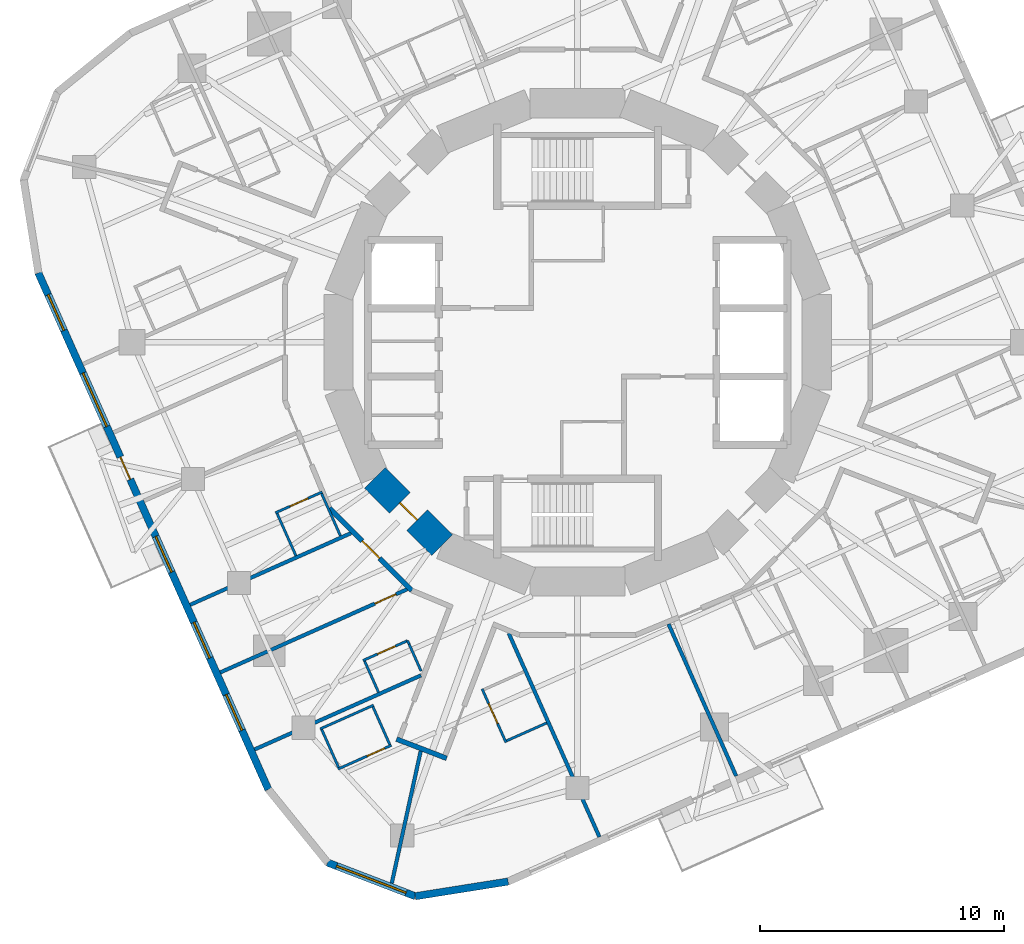
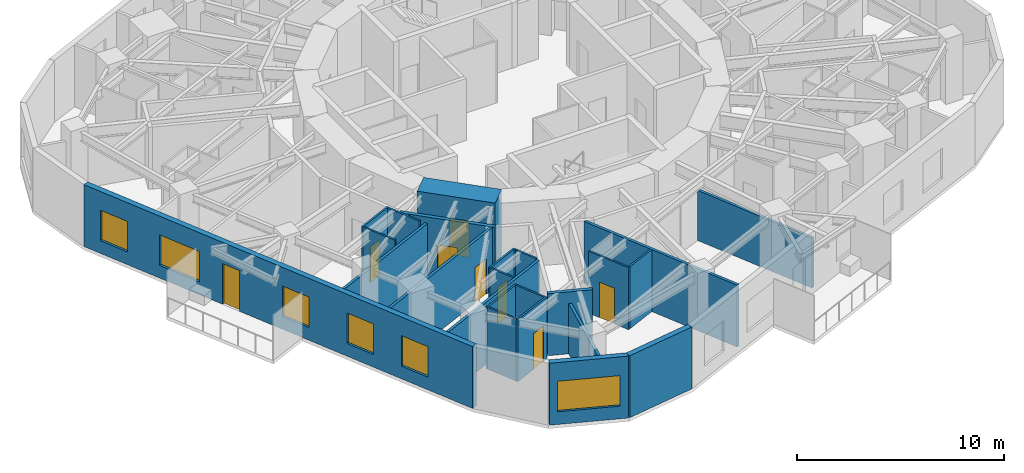
# One storey, part 4 of 12: 25 walls, 8 doors, 6 windows, 14 openings.
"""IFC4 building model written with IfcOpenShell, lengths in metres."""

import ifcopenshell
import ifcopenshell.guid

model = None  # the IFC model being written
_history = None  # IfcOwnerHistory: only IFC2X3 demands one
_inside = {}  # id of a spatial element -> (the spatial element, [elements in it])
_under = {}  # id of a project, library or spatial element -> (it, [spatial elements below it])
_declared = {}  # id of a project -> (the project, [libraries it declares])
_typed = {}  # id of a type object -> (the type object, [elements of that type])
_made_of = {}  # id of a material, layer set ... -> (it, [elements and type objects made of it])


def new_model(schema):
    """Start an empty IFC model of exactly this schema.

    Asked for "IFC4X3", IfcOpenShell would pick the latest addendum, in which some entities
    have other attributes; the version numbers below select the first issue.
    IFC2X3 requires an IfcOwnerHistory on every rooted entity: one is made here for all.
    """
    global model, _history
    if schema == "IFC4X3":
        model = ifcopenshell.file(schema_version=(4, 3, 0, 0))
    else:
        model = ifcopenshell.file(schema=schema)
    _inside.clear()
    _under.clear()
    _declared.clear()
    _typed.clear()
    _made_of.clear()
    _history = None
    if model.schema == "IFC2X3":
        org = make("IfcOrganization", Name="unknown")
        user = make(
            "IfcPersonAndOrganization",
            ThePerson=make("IfcPerson", FamilyName="unknown"),
            TheOrganization=org,
        )
        app = make(
            "IfcApplication",
            ApplicationDeveloper=org,
            Version="unknown",
            ApplicationFullName="unknown",
            ApplicationIdentifier="unknown",
        )
        _history = make(
            "IfcOwnerHistory",
            OwningUser=user,
            OwningApplication=app,
            ChangeAction="ADDED",
            CreationDate=0,
        )
    return model


def make(cls, **values):
    """One entity of the class cls with the attributes given. An attribute that is None is left unset."""
    return model.create_entity(
        cls, **{name: value for name, value in values.items() if value is not None}
    )


def rooted(cls, **values):
    """An entity with a GlobalId (a new one), such as an element, a storey or a relation."""
    return make(cls, GlobalId=ifcopenshell.guid.new(), OwnerHistory=_history, **values)


def si_unit(unit_type, name, prefix=None):
    """IfcSIUnit, for example si_unit("LENGTHUNIT", "METRE", prefix="MILLI")."""
    return make("IfcSIUnit", UnitType=unit_type, Prefix=prefix, Name=name)


def assignment(units):
    """IfcUnitAssignment: the units of a project."""
    return None if units is None else make("IfcUnitAssignment", Units=units)


def point(xyz):
    """IfcCartesianPoint."""
    return None if xyz is None else make("IfcCartesianPoint", Coordinates=xyz)


def direction(xyz):
    """IfcDirection."""
    return None if xyz is None else make("IfcDirection", DirectionRatios=xyz)


def frame(location, z_axis=None, x_axis=None):
    """IfcAxis2Placement3D, a coordinate frame: its origin and axes. An axis left out is left unset."""
    return make(
        "IfcAxis2Placement3D",
        Location=point(location),
        Axis=direction(z_axis),
        RefDirection=direction(x_axis),
    )


def frame_2d(location, x_axis=None):
    """IfcAxis2Placement2D, a coordinate frame in the plane: its origin and x axis."""
    return make(
        "IfcAxis2Placement2D", Location=point(location), RefDirection=direction(x_axis)
    )


def origin():
    """The frame at (0, 0, 0) with its axes left unset."""
    return frame((0.0, 0.0, 0.0))


def place(relative_to, where):
    """IfcLocalPlacement: puts the frame where relative to a parent placement (None: the world)."""
    return make(
        "IfcLocalPlacement", PlacementRelTo=relative_to, RelativePlacement=where
    )


def context(
    kind, dimensions, precision=None, world=None, true_north=None, identifier=None
):
    """IfcGeometricRepresentationContext, for example the 3D "Model" context."""
    return make(
        "IfcGeometricRepresentationContext",
        ContextIdentifier=identifier,
        ContextType=kind,
        CoordinateSpaceDimension=dimensions,
        Precision=precision,
        WorldCoordinateSystem=world,
        TrueNorth=true_north,
    )


def subcontext(parent, identifier, kind, view, scale=None):
    """IfcGeometricRepresentationSubContext, for example "Body" below "Model"."""
    return make(
        "IfcGeometricRepresentationSubContext",
        ContextIdentifier=identifier,
        ContextType=kind,
        ParentContext=parent,
        TargetScale=scale,
        TargetView=view,
    )


def project(units=None, contexts=None):
    """IfcProject with its units and contexts."""
    return rooted(
        "IfcProject",
        Name="project",
        RepresentationContexts=contexts,
        UnitsInContext=assignment(units),
    )


def spatial(cls, under=None, at=None, **own):
    """A site, building, storey or space (cls), placed at a placement, below another one or the project."""
    s = rooted(cls, ObjectPlacement=at, **own)
    if under is not None:
        _under.setdefault(under.id(), (under, []))[1].append(s)
    return s


def profile(cls, at=None, kind="AREA", **sizes):
    """A parametric profile (cls). Its sizes go by their IFC names, for example OverallWidth=200.0."""
    return make(cls, ProfileType=kind, Position=at, **sizes)


def rectangle(**sizes):
    """IfcRectangleProfileDef."""
    return profile("IfcRectangleProfileDef", **sizes)


def extrude(swept, where, along, depth):
    """IfcExtrudedAreaSolid: the profile swept, set in the frame where, extruded along a direction by depth."""
    return make(
        "IfcExtrudedAreaSolid",
        SweptArea=swept,
        Position=where,
        ExtrudedDirection=direction(along),
        Depth=depth,
    )


def shape(context_of_items, identifier, shape_type, items):
    """IfcShapeRepresentation: the items that make up one representation, for example the "Body"."""
    return make(
        "IfcShapeRepresentation",
        ContextOfItems=context_of_items,
        RepresentationIdentifier=identifier,
        RepresentationType=shape_type,
        Items=items,
    )


def material(Name=None, Category=None):
    """IfcMaterial."""
    return make("IfcMaterial", Name=Name, Category=Category)


def layer(
    of_material, thickness, ventilated=None, Name=None, Category=None, Priority=None
):
    """IfcMaterialLayer: one layer of a wall or slab, of a material (None: an air gap)."""
    return make(
        "IfcMaterialLayer",
        Material=of_material,
        LayerThickness=thickness,
        IsVentilated=ventilated,
        Name=Name,
        Category=Category,
        Priority=Priority,
    )


def layer_set(layers, Name=None):
    """IfcMaterialLayerSet."""
    return make("IfcMaterialLayerSet", MaterialLayers=layers, LayerSetName=Name)


def made_of(thing, what):
    """Note that an element or type object is made of a material, layer set ...; save() writes the relation."""
    if what is not None:
        _made_of.setdefault(what.id(), (what, []))[1].append(thing)
    return thing


def type_object(cls, material=None, **own):
    """A type object (cls), such as IfcWallType, which elements share."""
    return made_of(rooted(cls, **own), material)


def element(
    cls,
    number,
    at=None,
    inside=None,
    cuts=None,
    type_object=None,
    material=None,
    context=None,
    identifier="Body",
    shape_type=None,
    held_by="IfcProductDefinitionShape",
    body=None,
    shapes=None,
    **own,
):
    """One element of the class cls, such as IfcWall. Its Tag is "e" and its number.

    at: its placement. inside: the storey or other place that contains it. cuts: it is an
    opening in that element (IfcRelVoidsElement). A single representation is given by context,
    identifier, shape_type and body (its items); several are given by shapes. held_by: the class
    of the entity that holds the representations. save() writes the other relations.
    """
    e = rooted(cls, Tag="e%d" % number, ObjectPlacement=at, **own)
    if body is not None:
        shapes = [shape(context, identifier, shape_type, body)]
    if shapes is not None:
        e.Representation = make(held_by, Representations=shapes)
    if inside is not None:
        _inside.setdefault(inside.id(), (inside, []))[1].append(e)
    if cuts is not None:
        rooted(
            "IfcRelVoidsElement", RelatingBuildingElement=cuts, RelatedOpeningElement=e
        )
    if type_object is not None:
        _typed.setdefault(type_object.id(), (type_object, []))[1].append(e)
    return made_of(e, material)


def fill(opening, filler):
    """IfcRelFillsElement: the door or window that sits in an opening."""
    return rooted(
        "IfcRelFillsElement",
        RelatingOpeningElement=opening,
        RelatedBuildingElement=filler,
    )


def aggregate(whole, parts):
    """IfcRelAggregates: a whole, such as a stair, and the parts it consists of."""
    return rooted("IfcRelAggregates", RelatingObject=whole, RelatedObjects=parts)


def save(model, path):
    """Write the relations noted so far, then the file.

    IfcRelAggregates (storeys below a building ...), IfcRelContainedInSpatialStructure (elements
    in a storey), IfcRelDefinesByType, IfcRelAssociatesMaterial and IfcRelDeclares: one each for
    every whole, place, type object, material and project.
    """
    for whole, parts in _under.values():
        aggregate(whole, parts)
    for where, things in _inside.values():
        rooted(
            "IfcRelContainedInSpatialStructure",
            RelatedElements=things,
            RelatingStructure=where,
        )
    for kind, things in _typed.values():
        rooted("IfcRelDefinesByType", RelatedObjects=things, RelatingType=kind)
    for what, things in _made_of.values():
        rooted("IfcRelAssociatesMaterial", RelatedObjects=things, RelatingMaterial=what)
    for by, libraries in _declared.values():
        rooted("IfcRelDeclares", RelatingContext=by, RelatedDefinitions=libraries)
    model.write(path)


model = new_model("IFC4")

# Units and contexts
model_context = context("Model", 3, precision=1e-05, world=origin(), true_north=direction((0.0, 1.0)))
body_context = subcontext(model_context, "Body", "Model", "MODEL_VIEW")
ifc_project = project(units=[si_unit("LENGTHUNIT", "METRE"), si_unit("AREAUNIT", "SQUARE_METRE"), si_unit("VOLUMEUNIT", "CUBIC_METRE"), si_unit("PLANEANGLEUNIT", "RADIAN"), si_unit("MASSUNIT", "GRAM", prefix="KILO")], contexts=[model_context])

# Site, building, storey
site_placement = place(None, origin())
site = spatial("IfcSite", under=ifc_project, at=site_placement, CompositionType="ELEMENT")
building_placement = place(site_placement, origin())
building = spatial("IfcBuilding", under=site, at=building_placement, Name="Nakasero Lantern House", CompositionType="ELEMENT")
storey_placement = place(building_placement, frame((0.0, 0.0, 205.550048828125)))
storey = spatial("IfcBuildingStorey", under=building, at=storey_placement, Name="L50", CompositionType="ELEMENT", Elevation=205.550048828125)

# Wall, opening, door
ifc_material_1 = material(Name="Concrete C50/60", Category="concrete")
ifc_layer_1 = layer(ifc_material_1, 1.199951171875)
ifc_layer_set_1 = layer_set([ifc_layer_1], Name="Core wall 1200")
wall_type_1 = type_object("IfcWallType", Name="Core wall 1200", PredefinedType="SHEAR", material=ifc_layer_set_1)
wall_1_placement = place(storey_placement, frame((-8.314697265625, -5.5556640625, 0.0), z_axis=(0.0, 0.0, 1.0), x_axis=(0.707106781187, -0.707106781187, 0.0)))
wall_1 = element("IfcWall", 1, at=wall_1_placement, inside=storey, type_object=wall_type_1, Name="Core wall L50 facet 10", PredefinedType="SHEAR", context=body_context, shape_type="SweptSolid", body=[
    extrude(rectangle(XDim=3.90185546875, YDim=1.199951171875, at=frame_2d((1.950927734375, 0.0))), origin(), (0.0, 0.0, 1.0), 3.849853515625),
])
opening_1_placement = place(wall_1_placement, frame((1.450927734375, 0.0, 0.0)))
opening_1 = element("IfcOpeningElement", 2, at=opening_1_placement, cuts=wall_1, Name="Opening D05", PredefinedType="OPENING", context=body_context, shape_type="SweptSolid", body=[
    extrude(rectangle(XDim=1.0, YDim=2.10009765625, at=frame_2d((0.5, 1.050048828125))), frame((0.0, 0.619873046875, 0.0), z_axis=(0.0, -1.0, 0.0), x_axis=(1.0, 0.0, 0.0)), (0.0, 0.0, 1.0), 1.239990234375),
])
ifc_material_2 = material(Name="Timber C24", Category="wood")
door_type_1 = type_object("IfcDoorType", Name="Core door FD60S 1000", OperationType="SINGLE_SWING_LEFT", PredefinedType="DOOR", material=ifc_material_2)
door_1_placement = place(opening_1_placement, origin())
door_1 = element("IfcDoor", 3, at=door_1_placement, inside=storey, type_object=door_type_1, Name="Door L50 D-CORE10", OperationType="SINGLE_SWING_LEFT", OverallHeight=2.10009765625, OverallWidth=1.0, PredefinedType="DOOR", context=body_context, shape_type="SweptSolid", body=[
    extrude(rectangle(XDim=1.0, YDim=2.10009765625, at=frame_2d((0.5, 1.050048828125))), frame((0.0, 0.02490234375, 0.0), z_axis=(0.0, -1.0, 0.0), x_axis=(1.0, 0.0, 0.0)), (0.0, 0.0, 1.0), 0.050048828125),
])
fill(opening_1, door_1)

ifc_material_3 = material(Name="Blockwork", Category="masonry")
ifc_layer_2 = layer(ifc_material_3, 0.199951171875)
ifc_layer_set_2 = layer_set([ifc_layer_2], Name="Corridor wall 200")
wall_type_2 = type_object("IfcWallType", Name="Corridor wall 200", PredefinedType="PARTITIONING", material=ifc_layer_set_2)
wall_2_placement = place(storey_placement, frame((-6.802001953125, -10.1796875, 0.0), z_axis=(0.0, 0.0, 1.0), x_axis=(-0.707106781187, 0.707106781187, 0.0)))
wall_2 = element("IfcWall", 4, at=wall_2_placement, inside=storey, type_object=wall_type_2, Name="Corridor wall L50 RC06a", PredefinedType="PARTITIONING", context=body_context, shape_type="SweptSolid", body=[
    extrude(rectangle(XDim=4.77685546875, YDim=0.199951171875, at=frame_2d((2.388427734375, 0.0))), origin(), (0.0, 0.0, 1.0), 3.64990234375),
])
opening_2_placement = place(wall_2_placement, frame((1.8701171875, 0.0, 0.0)))
opening_2 = element("IfcOpeningElement", 5, at=opening_2_placement, cuts=wall_2, Name="Opening D14", PredefinedType="OPENING", context=body_context, shape_type="SweptSolid", body=[
    extrude(rectangle(XDim=1.0, YDim=2.10009765625, at=frame_2d((0.5, 1.050048828125))), frame((0.0, 0.119873046875, 0.0), z_axis=(0.0, -1.0, 0.0), x_axis=(1.0, 0.0, 0.0)), (0.0, 0.0, 1.0), 0.239990234375),
])
ifc_material_4 = material(Name="Timber C24", Category="wood")
door_type_2 = type_object("IfcDoorType", Name="Cluster entrance door FD30S 1000", OperationType="SINGLE_SWING_LEFT", PredefinedType="DOOR", material=ifc_material_4)
door_2_placement = place(opening_2_placement, origin())
door_2 = element("IfcDoor", 6, at=door_2_placement, inside=storey, type_object=door_type_2, Name="Door L50 D2-04", OperationType="SINGLE_SWING_LEFT", OverallHeight=2.10009765625, OverallWidth=1.0, PredefinedType="DOOR", context=body_context, shape_type="SweptSolid", body=[
    extrude(rectangle(XDim=1.0, YDim=2.10009765625, at=frame_2d((0.5, 1.050048828125))), frame((0.0, 0.02490234375, 0.0), z_axis=(0.0, -1.0, 0.0), x_axis=(1.0, 0.0, 0.0)), (0.0, 0.0, 1.0), 0.050048828125),
])
fill(opening_2, door_2)

# Wall
wall_3_placement = place(storey_placement, frame((-7.426513671875, -16.277587890625, 0.0), z_axis=(0.0, 0.0, 1.0), x_axis=(0.933582812604, -0.358361733464, 0.0)))
element("IfcWall", 7, at=wall_3_placement, inside=storey, type_object=wall_type_2, Name="Corridor wall L50 SP2e", PredefinedType="PARTITIONING", context=body_context, shape_type="SweptSolid", body=[
    extrude(rectangle(XDim=2.19970703125, YDim=0.199951171875, at=frame_2d((1.099853515625, 0.0))), origin(), (0.0, 0.0, 1.0), 3.64990234375),
])

# Wall, opening, door
ifc_material_5 = material(Name="Blockwork", Category="masonry")
ifc_layer_3 = layer(ifc_material_5, 0.10009765625)
ifc_layer_set_3 = layer_set([ifc_layer_3], Name="En-suite wall 100")
wall_type_3 = type_object("IfcWallType", Name="En-suite wall 100", PredefinedType="PARTITIONING", material=ifc_layer_set_3)
wall_4_placement = place(storey_placement, frame((-10.475341796875, -6.138916015625, 0.0), z_axis=(0.0, 0.0, 1.0), x_axis=(-0.913528480824, -0.406774771494, 0.0)))
wall_4 = element("IfcWall", 8, at=wall_4_placement, inside=storey, type_object=wall_type_3, Name="En-suite wall L50 ES2-03", PredefinedType="PARTITIONING", context=body_context, shape_type="SweptSolid", body=[
    extrude(rectangle(XDim=2.10009765625, YDim=0.10009765625, at=frame_2d((1.050048828125, 0.0))), origin(), (0.0, 0.0, 1.0), 3.64990234375),
])
opening_3_placement = place(wall_4_placement, frame((0.64990234375, 0.0, 0.0)))
opening_3 = element("IfcOpeningElement", 9, at=opening_3_placement, cuts=wall_4, Name="Opening D02", PredefinedType="OPENING", context=body_context, shape_type="SweptSolid", body=[
    extrude(rectangle(XDim=0.800048828125, YDim=2.10009765625, at=frame_2d((0.39990234375, 1.050048828125))), frame((0.0, 0.070068359375, 0.0), z_axis=(0.0, -1.0, 0.0), x_axis=(1.0, 0.0, 0.0)), (0.0, 0.0, 1.0), 0.14013671875),
])
ifc_material_6 = material(Name="Timber C24", Category="wood")
door_type_3 = type_object("IfcDoorType", Name="En-suite door 800", OperationType="SINGLE_SWING_RIGHT", PredefinedType="DOOR", material=ifc_material_6)
door_3_placement = place(opening_3_placement, origin())
door_3 = element("IfcDoor", 10, at=door_3_placement, inside=storey, type_object=door_type_3, Name="Door L50 DE2-03", OperationType="SINGLE_SWING_LEFT", OverallHeight=2.10009765625, OverallWidth=0.800048828125, PredefinedType="DOOR", context=body_context, shape_type="SweptSolid", body=[
    extrude(rectangle(XDim=0.800048828125, YDim=2.10009765625, at=frame_2d((0.39990234375, 1.050048828125))), frame((0.0, 0.02490234375, 0.0), z_axis=(0.0, -1.0, 0.0), x_axis=(1.0, 0.0, 0.0)), (0.0, 0.0, 1.0), 0.050048828125),
])
fill(opening_3, door_3)

# Walls
for number, where, z_axis, x_axis, name in (
    (11, (-12.327880859375, -7.0185546875, 0.0), (0.0, 0.0, 1.0), (0.406722623293, -0.913551699523, 0.0), "En-suite wall L50 EE2-03"),
    (12, (-10.500732421875, -6.205078125, 0.0), (0.0, 0.0, 1.0), (0.406722623293, -0.913551699523, 0.0), "En-suite wall L50 EI2-03"),
):
    element("IfcWall", number, at=place(storey_placement, frame(where, z_axis=z_axis, x_axis=x_axis)), inside=storey, type_object=wall_type_3, Name=name, PredefinedType="PARTITIONING", context=body_context, shape_type="SweptSolid", body=[
        extrude(rectangle(XDim=1.89990234375, YDim=0.10009765625, at=frame_2d((0.949951171875, 0.0))), origin(), (0.0, 0.0, 1.0), 3.64990234375),
    ])

# Wall, opening, door
wall_5_placement = place(storey_placement, frame((-6.974853515625, -12.23974609375, 0.0), z_axis=(0.0, 0.0, 1.0), x_axis=(-0.913549606868, -0.406727323635, 0.0)))
wall_5 = element("IfcWall", 13, at=wall_5_placement, inside=storey, type_object=wall_type_3, Name="En-suite wall L50 ES2-05", PredefinedType="PARTITIONING", context=body_context, shape_type="SweptSolid", body=[
    extrude(rectangle(XDim=2.0, YDim=0.10009765625, at=frame_2d((1.0, 0.0))), origin(), (0.0, 0.0, 1.0), 3.64990234375),
])
opening_4_placement = place(wall_5_placement, frame((0.550048828125, 0.0, 0.0)))
opening_4 = element("IfcOpeningElement", 14, at=opening_4_placement, cuts=wall_5, Name="Opening D02", PredefinedType="OPENING", context=body_context, shape_type="SweptSolid", body=[
    extrude(rectangle(XDim=0.800048828125, YDim=2.10009765625, at=frame_2d((0.39990234375, 1.050048828125))), frame((0.0, 0.070068359375, 0.0), z_axis=(0.0, -1.0, 0.0), x_axis=(1.0, 0.0, 0.0)), (0.0, 0.0, 1.0), 0.14013671875),
])
door_4_placement = place(opening_4_placement, origin())
door_4 = element("IfcDoor", 15, at=door_4_placement, inside=storey, type_object=door_type_3, Name="Door L50 DE2-05", OperationType="SINGLE_SWING_LEFT", OverallHeight=2.10009765625, OverallWidth=0.800048828125, PredefinedType="DOOR", context=body_context, shape_type="SweptSolid", body=[
    extrude(rectangle(XDim=0.800048828125, YDim=2.10009765625, at=frame_2d((0.39990234375, 1.050048828125))), frame((0.0, 0.02490234375, 0.0), z_axis=(0.0, -1.0, 0.0), x_axis=(1.0, 0.0, 0.0)), (0.0, 0.0, 1.0), 0.050048828125),
])
fill(opening_4, door_4)

# Wall
wall_6_placement = place(storey_placement, frame((-8.736083984375, -13.07861328125, 0.0), z_axis=(0.0, 0.0, 1.0), x_axis=(0.406801678348, -0.9135164993, 0.0)))
element("IfcWall", 16, at=wall_6_placement, inside=storey, type_object=wall_type_3, Name="En-suite wall L50 EE2-05", PredefinedType="PARTITIONING", context=body_context, shape_type="SweptSolid", body=[
    extrude(rectangle(XDim=1.400146484375, YDim=0.10009765625, at=frame_2d((0.7001953125, 0.0))), origin(), (0.0, 0.0, 1.0), 3.64990234375),
])

# Wall, opening, door
wall_7_placement = place(storey_placement, frame((-7.63720703125, -16.530029296875, 0.0), z_axis=(0.0, 0.0, 1.0), x_axis=(-0.913513461389, -0.406808500233, 0.0)))
wall_7 = element("IfcWall", 17, at=wall_7_placement, inside=storey, type_object=wall_type_3, Name="En-suite wall L50 ES2-06", PredefinedType="PARTITIONING", context=body_context, shape_type="SweptSolid", body=[
    extrude(rectangle(XDim=2.39990234375, YDim=0.10009765625, at=frame_2d((1.199951171875, 0.0))), origin(), (0.0, 0.0, 1.0), 3.64990234375),
])
opening_5_placement = place(wall_7_placement, frame((0.300048828125, 0.0, 0.0)))
opening_5 = element("IfcOpeningElement", 18, at=opening_5_placement, cuts=wall_7, Name="Opening D02", PredefinedType="OPENING", context=body_context, shape_type="SweptSolid", body=[
    extrude(rectangle(XDim=0.800048828125, YDim=2.10009765625, at=frame_2d((0.39990234375, 1.050048828125))), frame((0.0, 0.070068359375, 0.0), z_axis=(0.0, -1.0, 0.0), x_axis=(1.0, 0.0, 0.0)), (0.0, 0.0, 1.0), 0.14013671875),
])
door_5_placement = place(opening_5_placement, origin())
door_5 = element("IfcDoor", 19, at=door_5_placement, inside=storey, type_object=door_type_3, Name="Door L50 DE2-06", OperationType="SINGLE_SWING_LEFT", OverallHeight=2.10009765625, OverallWidth=0.800048828125, PredefinedType="DOOR", context=body_context, shape_type="SweptSolid", body=[
    extrude(rectangle(XDim=0.800048828125, YDim=2.10009765625, at=frame_2d((0.39990234375, 1.050048828125))), frame((0.0, 0.02490234375, 0.0), z_axis=(0.0, -1.0, 0.0), x_axis=(1.0, 0.0, 0.0)), (0.0, 0.0, 1.0), 0.050048828125),
])
fill(opening_5, door_5)

# Walls
wall_8_placement = place(storey_placement, frame((-8.369384765625, -14.8857421875, 0.0), z_axis=(0.0, 0.0, 1.0), x_axis=(-0.913551263516, -0.406723602621, 0.0)))
element("IfcWall", 20, at=wall_8_placement, inside=storey, type_object=wall_type_3, Name="En-suite wall L50 EV2-06", PredefinedType="PARTITIONING", context=body_context, shape_type="SweptSolid", body=[
    extrude(rectangle(XDim=2.39990234375, YDim=0.10009765625, at=frame_2d((1.199951171875, 0.0))), origin(), (0.0, 0.0, 1.0), 3.64990234375),
])
for number, where, z_axis, x_axis, name in (
    (21, (-10.495849609375, -15.88720703125, 0.0), (0.0, 0.0, 1.0), (0.406724697108, -0.913550776237, 0.0), "En-suite wall L50 EE2-06"),
    (22, (-8.39453125, -14.95166015625, 0.0), (0.0, 0.0, 1.0), (0.406724697108, -0.913550776237, 0.0), "En-suite wall L50 EI2-06"),
):
    element("IfcWall", number, at=place(storey_placement, frame(where, z_axis=z_axis, x_axis=x_axis)), inside=storey, type_object=wall_type_3, Name=name, PredefinedType="PARTITIONING", context=body_context, shape_type="SweptSolid", body=[
        extrude(rectangle(XDim=1.699951171875, YDim=0.10009765625, at=frame_2d((0.85009765625, 0.0))), origin(), (0.0, 0.0, 1.0), 3.64990234375),
    ])

# Wall, opening, door
wall_9_placement = place(storey_placement, frame((-3.914306640625, -14.2216796875, 0.0), z_axis=(0.0, 0.0, 1.0), x_axis=(0.406723602621, -0.913551263516, 0.0)))
wall_9 = element("IfcWall", 23, at=wall_9_placement, inside=storey, type_object=wall_type_3, Name="En-suite wall L50 ES3-00", PredefinedType="PARTITIONING", context=body_context, shape_type="SweptSolid", body=[
    extrude(rectangle(XDim=2.39990234375, YDim=0.10009765625, at=frame_2d((1.199951171875, 0.0))), origin(), (0.0, 0.0, 1.0), 3.64990234375),
])
opening_6_placement = place(wall_9_placement, frame((0.64990234375, 0.0, 0.0)))
opening_6 = element("IfcOpeningElement", 24, at=opening_6_placement, cuts=wall_9, Name="Opening D16", PredefinedType="OPENING", context=body_context, shape_type="SweptSolid", body=[
    extrude(rectangle(XDim=0.89990234375, YDim=2.10009765625, at=frame_2d((0.449951171875, 1.050048828125))), frame((0.0, 0.070068359375, 0.0), z_axis=(0.0, -1.0, 0.0), x_axis=(1.0, 0.0, 0.0)), (0.0, 0.0, 1.0), 0.14013671875),
])
ifc_material_7 = material(Name="Timber C24", Category="wood")
door_type_4 = type_object("IfcDoorType", Name="Accessible WC door 900", OperationType="SINGLE_SWING_RIGHT", PredefinedType="DOOR", material=ifc_material_7)
door_6_placement = place(opening_6_placement, origin())
door_6 = element("IfcDoor", 25, at=door_6_placement, inside=storey, type_object=door_type_4, Name="Door L50 DE3-00", OperationType="SINGLE_SWING_LEFT", OverallHeight=2.10009765625, OverallWidth=0.89990234375, PredefinedType="DOOR", context=body_context, shape_type="SweptSolid", body=[
    extrude(rectangle(XDim=0.89990234375, YDim=2.10009765625, at=frame_2d((0.449951171875, 1.050048828125))), frame((0.0, 0.02490234375, 0.0), z_axis=(0.0, -1.0, 0.0), x_axis=(1.0, 0.0, 0.0)), (0.0, 0.0, 1.0), 0.050048828125),
])
fill(opening_6, door_6)

# Walls
wall_10_placement = place(storey_placement, frame((-2.912841796875, -16.34814453125, 0.0), z_axis=(0.0, 0.0, 1.0), x_axis=(0.913548502595, 0.406729803932, 0.0)))
element("IfcWall", 26, at=wall_10_placement, inside=storey, type_object=wall_type_3, Name="En-suite wall L50 EE3-00", PredefinedType="PARTITIONING", context=body_context, shape_type="SweptSolid", body=[
    extrude(rectangle(XDim=1.800048828125, YDim=0.10009765625, at=frame_2d((0.89990234375, 0.0))), origin(), (0.0, 0.0, 1.0), 3.64990234375),
])
wall_11_placement = place(storey_placement, frame((-6.419677734375, -13.48681640625, 0.0), z_axis=(0.0, 0.0, 1.0), x_axis=(-0.406815070933, 0.913510535277, 0.0)))
element("IfcWall", 27, at=wall_11_placement, inside=storey, type_object=wall_type_3, Name="En-suite wall L50 EX002", PredefinedType="PARTITIONING", context=body_context, shape_type="SweptSolid", body=[
    extrude(rectangle(XDim=1.205078125, YDim=0.10009765625, at=frame_2d((0.6025390625, 0.0))), origin(), (0.0, 0.0, 1.0), 3.64990234375),
])
wall_12_placement = place(storey_placement, frame((-6.974853515625, -12.23974609375, 0.0), z_axis=(0.0, 0.0, 1.0), x_axis=(0.405855313637, -0.913937341612, 0.0)))
element("IfcWall", 28, at=wall_12_placement, inside=storey, type_object=wall_type_3, Name="En-suite wall L50 ES2-05R0", PredefinedType="PARTITIONING", context=body_context, shape_type="SweptSolid", body=[
    extrude(rectangle(XDim=0.159912109375, YDim=0.10009765625, at=frame_2d((0.080078125, 0.0))), origin(), (0.0, 0.0, 1.0), 3.64990234375),
])

# Wall, openings, door, windows
ifc_material_8 = material(Name="Aluminium rainscreen on blockwork", Category="masonry")
ifc_layer_4 = layer(ifc_material_8, 0.300048828125)
ifc_layer_set_4 = layer_set([ifc_layer_4], Name="Facade wall 300")
wall_type_4 = type_object("IfcWallType", Name="Facade wall 300", PredefinedType="SOLIDWALL", material=ifc_layer_set_4)
wall_13_placement = place(storey_placement, frame((-22.12109375, 2.848876953125, 0.0), z_axis=(0.0, 0.0, 1.0), x_axis=(0.406734951338, -0.913546210851, 0.0)))
wall_13 = element("IfcWall", 29, at=wall_13_placement, inside=storey, type_object=wall_type_4, Name="Facade wall L50 FW2S", PredefinedType="SOLIDWALL", context=body_context, shape_type="SweptSolid", body=[
    extrude(rectangle(XDim=23.199951171875, YDim=0.300048828125, at=frame_2d((11.60009765625, 0.0))), origin(), (0.0, 0.0, 1.0), 3.64990234375),
])
opening_7_placement = place(wall_13_placement, frame((0.982421875, 0.0, 0.75)))
opening_7 = element("IfcOpeningElement", 30, at=opening_7_placement, cuts=wall_13, Name="Opening W01", PredefinedType="OPENING", context=body_context, shape_type="SweptSolid", body=[
    extrude(rectangle(XDim=1.60009765625, YDim=1.800048828125, at=frame_2d((0.800048828125, 0.89990234375))), frame((0.0, 0.169921875, 0.0), z_axis=(0.0, -1.0, 0.0), x_axis=(1.0, 0.0, 0.0)), (0.0, 0.0, 1.0), 0.340087890625),
])
opening_8_placement = place(wall_13_placement, frame((11.83984375, 0.0, 0.75)))
opening_8 = element("IfcOpeningElement", 31, at=opening_8_placement, cuts=wall_13, Name="Opening W01", PredefinedType="OPENING", context=body_context, shape_type="SweptSolid", body=[
    extrude(rectangle(XDim=1.60009765625, YDim=1.800048828125, at=frame_2d((0.800048828125, 0.89990234375))), frame((0.0, 0.169921875, 0.0), z_axis=(0.0, -1.0, 0.0), x_axis=(1.0, 0.0, 0.0)), (0.0, 0.0, 1.0), 0.340087890625),
])
opening_9_placement = place(wall_13_placement, frame((15.69140625, 0.0, 0.75)))
opening_9 = element("IfcOpeningElement", 32, at=opening_9_placement, cuts=wall_13, Name="Opening W01", PredefinedType="OPENING", context=body_context, shape_type="SweptSolid", body=[
    extrude(rectangle(XDim=1.60009765625, YDim=1.800048828125, at=frame_2d((0.800048828125, 0.89990234375))), frame((0.0, 0.169921875, 0.0), z_axis=(0.0, -1.0, 0.0), x_axis=(1.0, 0.0, 0.0)), (0.0, 0.0, 1.0), 0.340087890625),
])
opening_10_placement = place(wall_13_placement, frame((18.940185546875, 0.0, 0.75)))
opening_10 = element("IfcOpeningElement", 33, at=opening_10_placement, cuts=wall_13, Name="Opening W01", PredefinedType="OPENING", context=body_context, shape_type="SweptSolid", body=[
    extrude(rectangle(XDim=1.60009765625, YDim=1.800048828125, at=frame_2d((0.800048828125, 0.89990234375))), frame((0.0, 0.169921875, 0.0), z_axis=(0.0, -1.0, 0.0), x_axis=(1.0, 0.0, 0.0)), (0.0, 0.0, 1.0), 0.340087890625),
])
opening_11_placement = place(wall_13_placement, frame((4.500244140625, 0.0, 0.75)))
opening_11 = element("IfcOpeningElement", 34, at=opening_11_placement, cuts=wall_13, Name="Opening W03", PredefinedType="OPENING", context=body_context, shape_type="SweptSolid", body=[
    extrude(rectangle(XDim=2.39990234375, YDim=1.800048828125, at=frame_2d((1.199951171875, 0.89990234375))), frame((0.0, 0.169921875, 0.0), z_axis=(0.0, -1.0, 0.0), x_axis=(1.0, 0.0, 0.0)), (0.0, 0.0, 1.0), 0.340087890625),
])
opening_12_placement = place(wall_13_placement, frame((8.271484375, 0.0, 0.0)))
opening_12 = element("IfcOpeningElement", 35, at=opening_12_placement, cuts=wall_13, Name="Opening D04", PredefinedType="OPENING", context=body_context, shape_type="SweptSolid", body=[
    extrude(rectangle(XDim=1.0, YDim=2.39990234375, at=frame_2d((0.5, 1.199951171875))), frame((0.0, 0.169921875, 0.0), z_axis=(0.0, -1.0, 0.0), x_axis=(1.0, 0.0, 0.0)), (0.0, 0.0, 1.0), 0.340087890625),
])
ifc_material_9 = material(Name="Aluminium 6063-T6 and glass", Category="aluminium")
door_type_5 = type_object("IfcDoorType", Name="Balcony door 1000x2400", OperationType="SINGLE_SWING_RIGHT", PredefinedType="DOOR", material=ifc_material_9)
door_7_placement = place(opening_12_placement, origin())
door_7 = element("IfcDoor", 36, at=door_7_placement, inside=storey, type_object=door_type_5, Name="Balcony door L50 DB2", OperationType="SINGLE_SWING_RIGHT", OverallHeight=2.39990234375, OverallWidth=1.0, PredefinedType="DOOR", context=body_context, shape_type="SweptSolid", body=[
    extrude(rectangle(XDim=1.0, YDim=2.39990234375, at=frame_2d((0.5, 1.199951171875))), frame((0.0, 0.02490234375, 0.0), z_axis=(0.0, -1.0, 0.0), x_axis=(1.0, 0.0, 0.0)), (0.0, 0.0, 1.0), 0.050048828125),
])
fill(opening_12, door_7)
ifc_material_10 = material(Name="Aluminium 6063-T6 and glass", Category="aluminium")
window_type_1 = type_object("IfcWindowType", Name="Bedroom window 1600x1800", PartitioningType="SINGLE_PANEL", PredefinedType="WINDOW", material=ifc_material_10)
window_1_placement = place(opening_7_placement, origin())
window_1 = element("IfcWindow", 37, at=window_1_placement, inside=storey, type_object=window_type_1, Name="Window L50 WN2-00", OverallHeight=1.800048828125, OverallWidth=1.60009765625, PartitioningType="SINGLE_PANEL", PredefinedType="WINDOW", context=body_context, shape_type="SweptSolid", body=[
    extrude(rectangle(XDim=1.60009765625, YDim=1.800048828125, at=frame_2d((0.800048828125, 0.89990234375))), frame((0.0, 0.030029296875, 0.0), z_axis=(0.0, -1.0, 0.0), x_axis=(1.0, 0.0, 0.0)), (0.0, 0.0, 1.0), 0.06005859375),
])
fill(opening_7, window_1)
window_2_placement = place(opening_8_placement, origin())
window_2 = element("IfcWindow", 38, at=window_2_placement, inside=storey, type_object=window_type_1, Name="Window L50 WN2-03", OverallHeight=1.800048828125, OverallWidth=1.60009765625, PartitioningType="SINGLE_PANEL", PredefinedType="WINDOW", context=body_context, shape_type="SweptSolid", body=[
    extrude(rectangle(XDim=1.60009765625, YDim=1.800048828125, at=frame_2d((0.800048828125, 0.89990234375))), frame((0.0, 0.030029296875, 0.0), z_axis=(0.0, -1.0, 0.0), x_axis=(1.0, 0.0, 0.0)), (0.0, 0.0, 1.0), 0.06005859375),
])
fill(opening_8, window_2)
window_3_placement = place(opening_9_placement, origin())
window_3 = element("IfcWindow", 39, at=window_3_placement, inside=storey, type_object=window_type_1, Name="Window L50 WN2-04", OverallHeight=1.800048828125, OverallWidth=1.60009765625, PartitioningType="SINGLE_PANEL", PredefinedType="WINDOW", context=body_context, shape_type="SweptSolid", body=[
    extrude(rectangle(XDim=1.60009765625, YDim=1.800048828125, at=frame_2d((0.800048828125, 0.89990234375))), frame((0.0, 0.030029296875, 0.0), z_axis=(0.0, -1.0, 0.0), x_axis=(1.0, 0.0, 0.0)), (0.0, 0.0, 1.0), 0.06005859375),
])
fill(opening_9, window_3)
window_4_placement = place(opening_10_placement, origin())
window_4 = element("IfcWindow", 40, at=window_4_placement, inside=storey, type_object=window_type_1, Name="Window L50 WN2-05", OverallHeight=1.800048828125, OverallWidth=1.60009765625, PartitioningType="SINGLE_PANEL", PredefinedType="WINDOW", context=body_context, shape_type="SweptSolid", body=[
    extrude(rectangle(XDim=1.60009765625, YDim=1.800048828125, at=frame_2d((0.800048828125, 0.89990234375))), frame((0.0, 0.030029296875, 0.0), z_axis=(0.0, -1.0, 0.0), x_axis=(1.0, 0.0, 0.0)), (0.0, 0.0, 1.0), 0.06005859375),
])
fill(opening_10, window_4)
ifc_material_11 = material(Name="Aluminium 6063-T6 and glass", Category="aluminium")
window_type_2 = type_object("IfcWindowType", Name="Lounge window 2400x1800", PartitioningType="SINGLE_PANEL", PredefinedType="WINDOW", material=ifc_material_11)
window_5_placement = place(opening_11_placement, origin())
window_5 = element("IfcWindow", 41, at=window_5_placement, inside=storey, type_object=window_type_2, Name="Window L50 WK2", OverallHeight=1.800048828125, OverallWidth=2.39990234375, PartitioningType="SINGLE_PANEL", PredefinedType="WINDOW", context=body_context, shape_type="SweptSolid", body=[
    extrude(rectangle(XDim=2.39990234375, YDim=1.800048828125, at=frame_2d((1.199951171875, 0.89990234375))), frame((0.0, 0.030029296875, 0.0), z_axis=(0.0, -1.0, 0.0), x_axis=(1.0, 0.0, 0.0)), (0.0, 0.0, 1.0), 0.06005859375),
])
fill(opening_11, window_5)

# Wall, opening, window
wall_14_placement = place(storey_placement, frame((-10.258056640625, -21.342529296875, 0.0), z_axis=(0.0, 0.0, 1.0), x_axis=(0.933598278948, -0.358321438858, 0.0)))
wall_14 = element("IfcWall", 42, at=wall_14_placement, inside=storey, type_object=wall_type_4, Name="Facade wall L50 FW2C2", PredefinedType="SOLIDWALL", context=body_context, shape_type="SweptSolid", body=[
    extrude(rectangle(XDim=3.8564453125, YDim=0.300048828125, at=frame_2d((1.92822265625, 0.0))), origin(), (0.0, 0.0, 1.0), 3.64990234375),
])
opening_13_placement = place(wall_14_placement, frame((0.39990234375, 0.0, 0.75)))
opening_13 = element("IfcOpeningElement", 43, at=opening_13_placement, cuts=wall_14, Name="Opening W230", PredefinedType="OPENING", context=body_context, shape_type="SweptSolid", body=[
    extrude(rectangle(XDim=3.055908203125, YDim=1.800048828125, at=frame_2d((1.52783203125, 0.89990234375))), frame((0.0, 0.169921875, 0.0), z_axis=(0.0, -1.0, 0.0), x_axis=(1.0, 0.0, 0.0)), (0.0, 0.0, 1.0), 0.340087890625),
])
ifc_material_12 = material(Name="Aluminium 6063-T6 and glass", Category="aluminium")
window_type_3 = type_object("IfcWindowType", Name="Corner window 3056x1800", PartitioningType="SINGLE_PANEL", PredefinedType="WINDOW", material=ifc_material_12)
window_6_placement = place(opening_13_placement, origin())
window_6 = element("IfcWindow", 44, at=window_6_placement, inside=storey, type_object=window_type_3, Name="Window L50 WC2", OverallHeight=1.800048828125, OverallWidth=3.055908203125, PartitioningType="SINGLE_PANEL", PredefinedType="WINDOW", context=body_context, shape_type="SweptSolid", body=[
    extrude(rectangle(XDim=3.055908203125, YDim=1.800048828125, at=frame_2d((1.52783203125, 0.89990234375))), frame((0.0, 0.030029296875, 0.0), z_axis=(0.0, -1.0, 0.0), x_axis=(1.0, 0.0, 0.0)), (0.0, 0.0, 1.0), 0.06005859375),
])
fill(opening_13, window_6)

# Walls
wall_15_placement = place(storey_placement, frame((-6.65771484375, -22.724365234375, 0.0), z_axis=(0.0, 0.0, 1.0), x_axis=(0.987687906802, 0.156437203878, 0.0)))
element("IfcWall", 45, at=wall_15_placement, inside=storey, type_object=wall_type_4, Name="Facade wall L50 FW2C3", PredefinedType="SOLIDWALL", context=body_context, shape_type="SweptSolid", body=[
    extrude(rectangle(XDim=3.856201171875, YDim=0.300048828125, at=frame_2d((1.92822265625, 0.0))), origin(), (0.0, 0.0, 1.0), 3.64990234375),
])
ifc_material_13 = material(Name="Blockwork", Category="masonry")
ifc_layer_5 = layer(ifc_material_13, 0.14990234375)
ifc_layer_set_5 = layer_set([ifc_layer_5], Name="Party wall 150")
wall_type_5 = type_object("IfcWallType", Name="Party wall 150", PredefinedType="PARTITIONING", material=ifc_layer_set_5)
wall_16_placement = place(storey_placement, frame((-9.293701171875, -7.829345703125, 0.0), z_axis=(0.0, 0.0, 1.0), x_axis=(-0.913535447493, -0.406759125496, 0.0)))
element("IfcWall", 46, at=wall_16_placement, inside=storey, type_object=wall_type_5, Name="Party wall L50 PW2-04", PredefinedType="PARTITIONING", context=body_context, shape_type="SweptSolid", body=[
    extrude(rectangle(XDim=7.225341796875, YDim=0.14990234375, at=frame_2d((3.61279296875, 0.0))), origin(), (0.0, 0.0, 1.0), 3.294921875),
])

# Wall, opening, door
wall_17_placement = place(storey_placement, frame((-6.99267578125, -10.130615234375, 0.0), z_axis=(0.0, 0.0, 1.0), x_axis=(-0.913547411288, -0.406732255089, 0.0)))
wall_17 = element("IfcWall", 47, at=wall_17_placement, inside=storey, type_object=wall_type_5, Name="Party wall L50 PW2-05", PredefinedType="PARTITIONING", context=body_context, shape_type="SweptSolid", body=[
    extrude(rectangle(XDim=8.3916015625, YDim=0.14990234375, at=frame_2d((4.19580078125, 0.0))), origin(), (0.0, 0.0, 1.0), 3.64990234375),
])
opening_14_placement = place(wall_17_placement, frame((0.5, 0.0, 0.0)))
opening_14 = element("IfcOpeningElement", 48, at=opening_14_placement, cuts=wall_17, Name="Opening D01", PredefinedType="OPENING", context=body_context, shape_type="SweptSolid", body=[
    extrude(rectangle(XDim=0.949951171875, YDim=2.10009765625, at=frame_2d((0.47509765625, 1.050048828125))), frame((0.0, 0.094970703125, 0.0), z_axis=(0.0, -1.0, 0.0), x_axis=(1.0, 0.0, 0.0)), (0.0, 0.0, 1.0), 0.18994140625),
])
ifc_material_14 = material(Name="Timber C24", Category="wood")
door_type_6 = type_object("IfcDoorType", Name="Bedroom door FD30S 950", OperationType="SINGLE_SWING_LEFT", PredefinedType="DOOR", material=ifc_material_14)
door_8_placement = place(opening_14_placement, origin())
door_8 = element("IfcDoor", 49, at=door_8_placement, inside=storey, type_object=door_type_6, Name="Door L50 DS2-05", OperationType="SINGLE_SWING_LEFT", OverallHeight=2.10009765625, OverallWidth=0.949951171875, PredefinedType="DOOR", context=body_context, shape_type="SweptSolid", body=[
    extrude(rectangle(XDim=0.949951171875, YDim=2.10009765625, at=frame_2d((0.47509765625, 1.050048828125))), frame((0.0, 0.02490234375, 0.0), z_axis=(0.0, -1.0, 0.0), x_axis=(1.0, 0.0, 0.0)), (0.0, 0.0, 1.0), 0.050048828125),
])
fill(opening_14, door_8)

# Walls
wall_18_placement = place(storey_placement, frame((-6.423095703125, -13.663330078125, 0.0), z_axis=(0.0, 0.0, 1.0), x_axis=(-0.913546019887, -0.406735380252, 0.0)))
element("IfcWall", 50, at=wall_18_placement, inside=storey, type_object=wall_type_5, Name="Party wall L50 PW2-06", PredefinedType="PARTITIONING", context=body_context, shape_type="SweptSolid", body=[
    extrude(rectangle(XDim=7.474853515625, YDim=0.14990234375, at=frame_2d((3.7373046875, 0.0))), origin(), (0.0, 0.0, 1.0), 3.64990234375),
])
wall_19_placement = place(storey_placement, frame((-6.435546875, -16.76513671875, 0.0), z_axis=(0.0, 0.0, 1.0), x_axis=(-0.213734913997, -0.976891696422, 0.0)))
element("IfcWall", 51, at=wall_19_placement, inside=storey, type_object=wall_type_5, Name="Party wall L50 PW3-00", PredefinedType="PARTITIONING", context=body_context, shape_type="SweptSolid", body=[
    extrude(rectangle(XDim=5.55126953125, YDim=0.14990234375, at=frame_2d((2.775634765625, 0.0))), origin(), (0.0, 0.0, 1.0), 2.966552734375),
])
wall_20_placement = place(storey_placement, frame((-2.824951171875, -11.935302734375, 0.0), z_axis=(0.0, 0.0, 1.0), x_axis=(0.40672291788, -0.91355156837, 0.0)))
element("IfcWall", 52, at=wall_20_placement, inside=storey, type_object=wall_type_5, Name="Party wall L50 PW3-01", PredefinedType="PARTITIONING", context=body_context, shape_type="SweptSolid", body=[
    extrude(rectangle(XDim=9.1455078125, YDim=0.14990234375, at=frame_2d((4.57275390625, 0.0))), origin(), (0.0, 0.0, 1.0), 3.64990234375),
])
wall_21_placement = place(storey_placement, frame((3.7314453125, -11.559814453125, 0.0), z_axis=(0.0, 0.0, 1.0), x_axis=(0.406739408224, -0.913544226514, 0.0)))
element("IfcWall", 53, at=wall_21_placement, inside=storey, type_object=wall_type_5, Name="Party wall L50 PW3-03", PredefinedType="PARTITIONING", context=body_context, shape_type="SweptSolid", body=[
    extrude(rectangle(XDim=6.82177734375, YDim=0.14990234375, at=frame_2d((3.410888671875, 0.0))), origin(), (0.0, 0.0, 1.0), 2.95703125),
])

save(model, "model.ifc")
